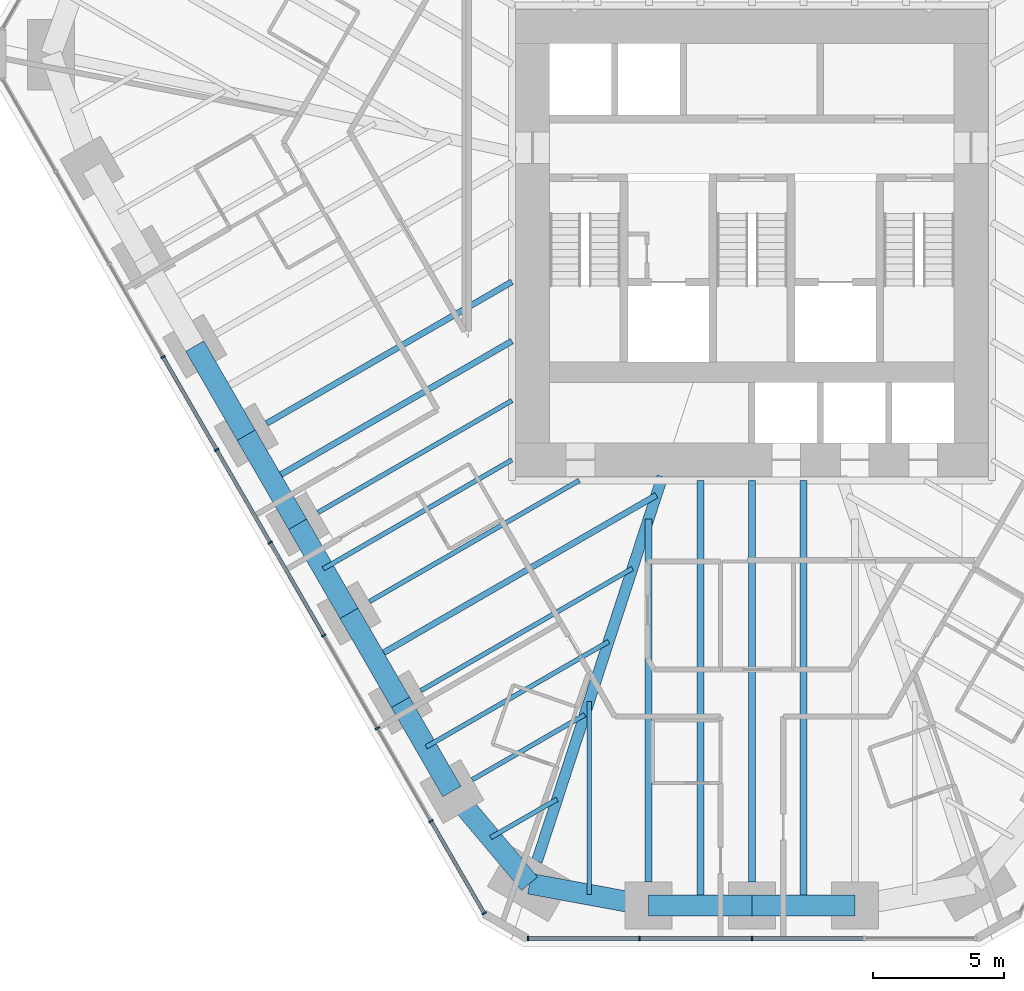
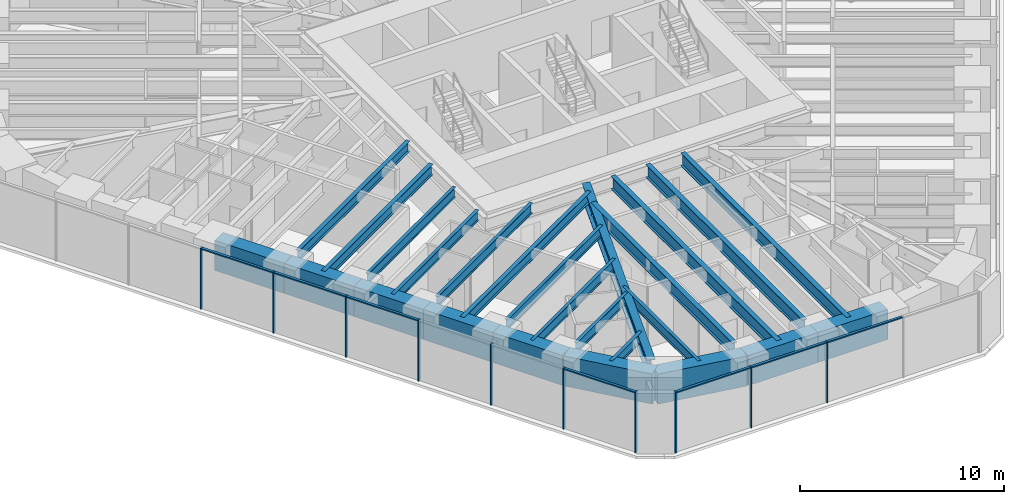
# One storey, part 2 of 17: 25 beams, 17 members, 2 elements without a shape of their own.
"""IFC4 building model written with IfcOpenShell, lengths in metres."""

from ifc_helpers import new_model, si_unit, direction, frame, origin, origin_2d, place, context, subcontext, project, spatial, rectangle, i_section, extrude, material, material_profile, profile_set, type_object, element, aggregate, save


model = new_model("IFC4")

# Units and contexts
model_context = context("Model", 3, precision=1e-05, world=origin(), true_north=direction((0.0, 1.0)))
body_context = subcontext(model_context, "Body", "Model", "MODEL_VIEW")
ifc_project = project(units=[si_unit("LENGTHUNIT", "METRE"), si_unit("AREAUNIT", "SQUARE_METRE"), si_unit("VOLUMEUNIT", "CUBIC_METRE"), si_unit("PLANEANGLEUNIT", "RADIAN"), si_unit("MASSUNIT", "GRAM", prefix="KILO")], contexts=[model_context])

# Site, building, storey
site_placement = place(None, origin())
site = spatial("IfcSite", under=ifc_project, at=site_placement, CompositionType="ELEMENT")
building_placement = place(site_placement, origin())
building = spatial("IfcBuilding", under=site, at=building_placement, Name="Sandreach Pilgrim Tower", CompositionType="ELEMENT")
storey_placement = place(building_placement, frame((0.0, 0.0, 108.199951171875)))
storey = spatial("IfcBuildingStorey", under=building, at=storey_placement, Name="L26", CompositionType="ELEMENT", Elevation=108.199951171875)

# Curtain wall, members
ifc_material_1 = material(Name="Aluminium framed curtain wall", Category="aluminium")
curtain_wall_type = type_object("IfcCurtainWallType", Name="Hotel tower curtain wall", PredefinedType="NOTDEFINED", material=ifc_material_1)
curtain_wall_1_placement = place(storey_placement, origin())
curtain_wall_1 = element("IfcCurtainWall", 1, at=curtain_wall_1_placement, inside=storey, type_object=curtain_wall_type, Name="CW-2 L26 S", PredefinedType="NOTDEFINED")
ifc_material_2 = material(Name="Aluminium extrusion", Category="aluminium")
ifc_material_profile_1 = material_profile(ifc_material_2, rectangle(XDim=0.06494140625, YDim=0.179931640625, at=origin_2d()), Name="CW-2M 65X180")
ifc_profile_set_1 = profile_set([ifc_material_profile_1], Name="Aluminium extrusion")
member_type_1 = type_object("IfcMemberType", Name="CW-2 mullion", PredefinedType="MULLION", material=ifc_profile_set_1)
member_1_placement = place(storey_placement, frame((0.0, -28.192138671875, 0.0), z_axis=(0.0, 0.0, 1.0), x_axis=(-1.0, 0.0, 0.0)))
member_1 = element("IfcMember", 2, at=member_1_placement, type_object=member_type_1, Name="CW-2 mullion 3", PredefinedType="MULLION", context=body_context, shape_type="SweptSolid", body=[
    extrude(rectangle(XDim=0.06494140625, YDim=0.179931640625, at=origin_2d()), origin(), (0.0, 0.0, 1.0), 3.64013671875),
])
member_2_placement = place(storey_placement, frame((-4.3056640625, -28.192138671875, 0.0), z_axis=(0.0, 0.0, 1.0), x_axis=(-1.0, 0.0, 0.0)))
member_2 = element("IfcMember", 3, at=member_2_placement, type_object=member_type_1, Name="CW-2 mullion 4", PredefinedType="MULLION", context=body_context, shape_type="SweptSolid", body=[
    extrude(rectangle(XDim=0.06494140625, YDim=0.179931640625, at=origin_2d()), origin(), (0.0, 0.0, 1.0), 3.64013671875),
])
member_3_placement = place(storey_placement, frame((-8.578857421875, -28.192138671875, 0.0), z_axis=(0.0, 0.0, 1.0), x_axis=(-1.0, 0.0, 0.0)))
member_3 = element("IfcMember", 4, at=member_3_placement, type_object=member_type_1, Name="CW-2 mullion 5", PredefinedType="MULLION", context=body_context, shape_type="SweptSolid", body=[
    extrude(rectangle(XDim=0.06494140625, YDim=0.179931640625, at=origin_2d()), origin(), (0.0, 0.0, 1.0), 3.64013671875),
])

curtain_wall_2_placement = place(storey_placement, origin())
curtain_wall_2 = element("IfcCurtainWall", 5, at=curtain_wall_2_placement, inside=storey, type_object=curtain_wall_type, Name="CW-2 L26 SW", PredefinedType="NOTDEFINED")
member_4_placement = place(storey_placement, frame((-10.255859375, -27.22412109375, 0.0), z_axis=(0.0, 0.0, 1.0), x_axis=(-0.5, 0.866025403784, 0.0)))
member_4 = element("IfcMember", 6, at=member_4_placement, type_object=member_type_1, Name="CW-2 mullion 1", PredefinedType="MULLION", context=body_context, shape_type="SweptSolid", body=[
    extrude(rectangle(XDim=0.06494140625, YDim=0.179931640625, at=origin_2d()), origin(), (0.0, 0.0, 1.0), 3.64013671875),
])
member_5_placement = place(storey_placement, frame((-12.29296875, -23.695556640625, 0.0), z_axis=(0.0, 0.0, 1.0), x_axis=(-0.5, 0.866025403784, 0.0)))
member_5 = element("IfcMember", 7, at=member_5_placement, type_object=member_type_1, Name="CW-2 mullion 2", PredefinedType="MULLION", context=body_context, shape_type="SweptSolid", body=[
    extrude(rectangle(XDim=0.06494140625, YDim=0.179931640625, at=origin_2d()), origin(), (0.0, 0.0, 1.0), 3.64013671875),
])
member_6_placement = place(storey_placement, frame((-14.346435546875, -20.138671875, 0.0), z_axis=(0.0, 0.0, 1.0), x_axis=(-0.5, 0.866025403784, 0.0)))
member_6 = element("IfcMember", 8, at=member_6_placement, type_object=member_type_1, Name="CW-2 mullion 3", PredefinedType="MULLION", context=body_context, shape_type="SweptSolid", body=[
    extrude(rectangle(XDim=0.06494140625, YDim=0.179931640625, at=origin_2d()), origin(), (0.0, 0.0, 1.0), 3.64013671875),
])
member_7_placement = place(storey_placement, frame((-16.39990234375, -16.58203125, 0.0), z_axis=(0.0, 0.0, 1.0), x_axis=(-0.5, 0.866025403784, 0.0)))
member_7 = element("IfcMember", 9, at=member_7_placement, type_object=member_type_1, Name="CW-2 mullion 4", PredefinedType="MULLION", context=body_context, shape_type="SweptSolid", body=[
    extrude(rectangle(XDim=0.06494140625, YDim=0.179931640625, at=origin_2d()), origin(), (0.0, 0.0, 1.0), 3.64013671875),
])
member_8_placement = place(storey_placement, frame((-18.453369140625, -13.025146484375, 0.0), z_axis=(0.0, 0.0, 1.0), x_axis=(-0.5, 0.866025403784, 0.0)))
member_8 = element("IfcMember", 10, at=member_8_placement, type_object=member_type_1, Name="CW-2 mullion 5", PredefinedType="MULLION", context=body_context, shape_type="SweptSolid", body=[
    extrude(rectangle(XDim=0.06494140625, YDim=0.179931640625, at=origin_2d()), origin(), (0.0, 0.0, 1.0), 3.64013671875),
])
member_9_placement = place(storey_placement, frame((-20.5068359375, -9.468505859375, 0.0), z_axis=(0.0, 0.0, 1.0), x_axis=(-0.5, 0.866025403784, 0.0)))
member_9 = element("IfcMember", 11, at=member_9_placement, type_object=member_type_1, Name="CW-2 mullion 6", PredefinedType="MULLION", context=body_context, shape_type="SweptSolid", body=[
    extrude(rectangle(XDim=0.06494140625, YDim=0.179931640625, at=origin_2d()), origin(), (0.0, 0.0, 1.0), 3.64013671875),
])
member_10_placement = place(storey_placement, frame((-22.560302734375, -5.911865234375, 0.0), z_axis=(0.0, 0.0, 1.0), x_axis=(-0.5, 0.866025403784, 0.0)))
member_10 = element("IfcMember", 12, at=member_10_placement, type_object=member_type_1, Name="CW-2 mullion 7", PredefinedType="MULLION", context=body_context, shape_type="SweptSolid", body=[
    extrude(rectangle(XDim=0.06494140625, YDim=0.179931640625, at=origin_2d()), origin(), (0.0, 0.0, 1.0), 3.64013671875),
])

# Member
ifc_material_3 = material(Name="Aluminium extrusion", Category="aluminium")
ifc_material_profile_2 = material_profile(ifc_material_3, rectangle(XDim=0.139892578125, YDim=0.070068359375, at=origin_2d()), Name="CW-2T 140X70")
ifc_profile_set_2 = profile_set([ifc_material_profile_2], Name="Aluminium extrusion")
member_type_2 = type_object("IfcMemberType", Name="CW-2 transom", PredefinedType="USERDEFINED", material=ifc_profile_set_2)
member_11_placement = place(storey_placement, frame((4.273193359375, -28.192138671875, 3.60498046875), z_axis=(-1.0, 0.0, 0.0), x_axis=(0.0, -1.0, 0.0)))
member_11 = element("IfcMember", 13, at=member_11_placement, type_object=member_type_2, Name="CW-2 head transom 2", ObjectType="TRANSOM", PredefinedType="USERDEFINED", context=body_context, shape_type="SweptSolid", body=[
    extrude(rectangle(XDim=0.139892578125, YDim=0.070068359375, at=origin_2d()), origin(), (0.0, 0.0, 1.0), 4.24072265625),
])

member_12_placement = place(storey_placement, frame((-0.032470703125, -28.192138671875, 3.60498046875), z_axis=(-1.0, 0.0, 0.0), x_axis=(0.0, -1.0, 0.0)))
member_12 = element("IfcMember", 14, at=member_12_placement, type_object=member_type_2, Name="CW-2 head transom 3", ObjectType="TRANSOM", PredefinedType="USERDEFINED", context=body_context, shape_type="SweptSolid", body=[
    extrude(rectangle(XDim=0.139892578125, YDim=0.070068359375, at=origin_2d()), origin(), (0.0, 0.0, 1.0), 4.24072265625),
])

member_13_placement = place(storey_placement, frame((-4.338134765625, -28.192138671875, 3.60498046875), z_axis=(-1.0, 0.0, 0.0), x_axis=(0.0, -1.0, 0.0)))
member_13 = element("IfcMember", 15, at=member_13_placement, type_object=member_type_2, Name="CW-2 head transom 4", ObjectType="TRANSOM", PredefinedType="USERDEFINED", context=body_context, shape_type="SweptSolid", body=[
    extrude(rectangle(XDim=0.139892578125, YDim=0.070068359375, at=origin_2d()), origin(), (0.0, 0.0, 1.0), 4.208251953125),
])

aggregate(curtain_wall_1, [member_1, member_2, member_3, member_11, member_12, member_13])

member_14_placement = place(storey_placement, frame((-10.27197265625, -27.196044921875, 3.60498046875), z_axis=(-0.500015851672, 0.866016251624, 0.0), x_axis=(-0.866016251624, -0.500015851672, 0.0)))
member_14 = element("IfcMember", 16, at=member_14_placement, type_object=member_type_2, Name="CW-2 head transom 1", ObjectType="TRANSOM", PredefinedType="USERDEFINED", context=body_context, shape_type="SweptSolid", body=[
    extrude(rectangle(XDim=0.139892578125, YDim=0.070068359375, at=origin_2d()), origin(), (0.0, 0.0, 1.0), 4.009521484375),
])

member_15_placement = place(storey_placement, frame((-16.416259765625, -16.553955078125, 3.60498046875), z_axis=(-0.499997818338, 0.866026663364, 0.0), x_axis=(-0.866026663364, -0.499997818338, 0.0)))
member_15 = element("IfcMember", 17, at=member_15_placement, type_object=member_type_2, Name="CW-2 head transom 4", ObjectType="TRANSOM", PredefinedType="USERDEFINED", context=body_context, shape_type="SweptSolid", body=[
    extrude(rectangle(XDim=0.139892578125, YDim=0.070068359375, at=origin_2d()), origin(), (0.0, 0.0, 1.0), 4.0419921875),
])

member_16_placement = place(storey_placement, frame((-18.4697265625, -12.9970703125, 3.60498046875), z_axis=(-0.499997818338, 0.866026663364, 0.0), x_axis=(-0.866026663364, -0.499997818338, 0.0)))
member_16 = element("IfcMember", 18, at=member_16_placement, type_object=member_type_2, Name="CW-2 head transom 5", ObjectType="TRANSOM", PredefinedType="USERDEFINED", context=body_context, shape_type="SweptSolid", body=[
    extrude(rectangle(XDim=0.139892578125, YDim=0.070068359375, at=origin_2d()), origin(), (0.0, 0.0, 1.0), 4.0419921875),
])

member_17_placement = place(storey_placement, frame((-20.523193359375, -9.4404296875, 3.60498046875), z_axis=(-0.499997818338, 0.866026663364, 0.0), x_axis=(-0.866026663364, -0.499997818338, 0.0)))
member_17 = element("IfcMember", 19, at=member_17_placement, type_object=member_type_2, Name="CW-2 head transom 6", ObjectType="TRANSOM", PredefinedType="USERDEFINED", context=body_context, shape_type="SweptSolid", body=[
    extrude(rectangle(XDim=0.139892578125, YDim=0.070068359375, at=origin_2d()), origin(), (0.0, 0.0, 1.0), 4.0419921875),
])

aggregate(curtain_wall_2, [member_4, member_5, member_6, member_7, member_8, member_9, member_10, member_14, member_15, member_16, member_17])

# Beams
ifc_material_4 = material(Name="Steel ASTM A992 Grade 50", Category="steel")
ifc_material_profile_3 = material_profile(ifc_material_4, i_section(OverallWidth=0.421630859375, OverallDepth=0.937255859375, WebThickness=0.0224609375, FlangeThickness=0.039794921875, at=origin_2d()), Name="W36X282")
ifc_profile_set_3 = profile_set([ifc_material_profile_3], Name="Steel ASTM A992 Grade 50")
beam_type_1 = type_object("IfcBeamType", Name="Corner girder W36X282", PredefinedType="BEAM", material=ifc_profile_set_3)
beam_1_placement = place(storey_placement, frame((-8.238525390625, -25.23876953125, 3.17138671875), z_axis=(0.310307109519, 0.950636364643, 0.0), x_axis=(-0.950636364643, 0.310307109519, 0.0)))
element("IfcBeam", 20, at=beam_1_placement, inside=storey, type_object=beam_type_1, Name="BM L26 CG26", PredefinedType="BEAM", context=body_context, shape_type="SweptSolid", body=[
    extrude(i_section(OverallWidth=0.421630859375, OverallDepth=0.937255859375, WebThickness=0.0224609375, FlangeThickness=0.039794921875, at=origin_2d()), origin(), (0.0, 0.0, 1.0), 15.504150390625),
])
ifc_material_5 = material(Name="Steel ASTM A992 Grade 50", Category="steel")
ifc_material_profile_4 = material_profile(ifc_material_5, i_section(OverallWidth=0.1787109375, OverallDepth=0.60205078125, WebThickness=0.010986328125, FlangeThickness=0.014892578125, at=origin_2d()), Name="W24X62")
ifc_profile_set_4 = profile_set([ifc_material_profile_4], Name="Steel ASTM A992 Grade 50")
beam_type_2 = type_object("IfcBeamType", Name="Floor beam W24X62", PredefinedType="BEAM", material=ifc_profile_set_4)
beam_2_placement = place(storey_placement, frame((-10.714599609375, -22.109130859375, 3.339111328125), z_axis=(0.866024645457, 0.500001313459, 0.0), x_axis=(-0.500001313459, 0.866024645457, 0.0)))
element("IfcBeam", 21, at=beam_2_placement, inside=storey, type_object=beam_type_2, Name="BM L26 F27", PredefinedType="BEAM", context=body_context, shape_type="SweptSolid", body=[
    extrude(i_section(OverallWidth=0.1787109375, OverallDepth=0.60205078125, WebThickness=0.010986328125, FlangeThickness=0.014892578125, at=origin_2d()), origin(), (0.0, 0.0, 1.0), 4.9765625),
])
beam_3_placement = place(storey_placement, frame((-12.6845703125, -18.697265625, 3.339111328125), z_axis=(0.866012351917, 0.500022605817, 0.0), x_axis=(-0.500022605817, 0.866012351917, 0.0)))
element("IfcBeam", 22, at=beam_3_placement, inside=storey, type_object=beam_type_2, Name="BM L26 F28", PredefinedType="BEAM", context=body_context, shape_type="SweptSolid", body=[
    extrude(i_section(OverallWidth=0.1787109375, OverallDepth=0.60205078125, WebThickness=0.010986328125, FlangeThickness=0.014892578125, at=origin_2d()), origin(), (0.0, 0.0, 1.0), 9.3642578125),
])
beam_4_placement = place(storey_placement, frame((-14.654541015625, -15.28515625, 3.339111328125), z_axis=(0.866015659929, 0.500016876472, 0.0), x_axis=(-0.500016876472, 0.866015659929, 0.0)))
element("IfcBeam", 23, at=beam_4_placement, inside=storey, type_object=beam_type_2, Name="BM L26 F29", PredefinedType="BEAM", context=body_context, shape_type="SweptSolid", body=[
    extrude(i_section(OverallWidth=0.1787109375, OverallDepth=0.60205078125, WebThickness=0.010986328125, FlangeThickness=0.014892578125, at=origin_2d()), origin(), (0.0, 0.0, 1.0), 9.283447265625),
])
beam_5_placement = place(storey_placement, frame((-16.62451171875, -11.873046875, 3.339111328125), z_axis=(0.866017857595, 0.500013070155, 0.0), x_axis=(-0.500013070155, 0.866017857595, 0.0)))
element("IfcBeam", 24, at=beam_5_placement, inside=storey, type_object=beam_type_2, Name="BM L26 F30", PredefinedType="BEAM", context=body_context, shape_type="SweptSolid", body=[
    extrude(i_section(OverallWidth=0.1787109375, OverallDepth=0.60205078125, WebThickness=0.010986328125, FlangeThickness=0.014892578125, at=origin_2d()), origin(), (0.0, 0.0, 1.0), 8.580810546875),
])
beam_6_placement = place(storey_placement, frame((-6.236572265625, -26.51318359375, 3.339111328125), z_axis=(0.0, 1.0, 0.0), x_axis=(-1.0, 0.0, 0.0)))
element("IfcBeam", 25, at=beam_6_placement, inside=storey, type_object=beam_type_2, Name="BM L26 FM25", PredefinedType="BEAM", context=body_context, shape_type="SweptSolid", body=[
    extrude(i_section(OverallWidth=0.1787109375, OverallDepth=0.60205078125, WebThickness=0.010986328125, FlangeThickness=0.014892578125, at=origin_2d()), origin(), (0.0, 0.0, 1.0), 7.40771484375),
])
beam_7_placement = place(storey_placement, frame((-10.006103515625, -24.326904296875, 3.339111328125), z_axis=(0.866015396618, 0.500017332519, 0.0), x_axis=(-0.500017332519, 0.866015396618, 0.0)))
element("IfcBeam", 26, at=beam_7_placement, inside=storey, type_object=beam_type_2, Name="BM L26 FM26", PredefinedType="BEAM", context=body_context, shape_type="SweptSolid", body=[
    extrude(i_section(OverallWidth=0.1787109375, OverallDepth=0.60205078125, WebThickness=0.010986328125, FlangeThickness=0.014892578125, at=origin_2d()), origin(), (0.0, 0.0, 1.0), 2.9384765625),
])
beam_8_placement = place(storey_placement, frame((-12.47900390625, -20.853271484375, 3.339111328125), z_axis=(0.866017328257, 0.500013986963, 0.0), x_axis=(-0.500013986963, 0.866017328257, 0.0)))
element("IfcBeam", 27, at=beam_8_placement, inside=storey, type_object=beam_type_2, Name="BM L26 FM27", PredefinedType="BEAM", context=body_context, shape_type="SweptSolid", body=[
    extrude(i_section(OverallWidth=0.1787109375, OverallDepth=0.60205078125, WebThickness=0.010986328125, FlangeThickness=0.014892578125, at=origin_2d()), origin(), (0.0, 0.0, 1.0), 8.070556640625),
])
beam_9_placement = place(storey_placement, frame((-16.4189453125, -14.029052734375, 3.339111328125), z_axis=(0.866016009309, 0.500016271356, 0.0), x_axis=(-0.500016271356, 0.866016009309, 0.0)))
element("IfcBeam", 28, at=beam_9_placement, inside=storey, type_object=beam_type_2, Name="BM L26 FM29", PredefinedType="BEAM", context=body_context, shape_type="SweptSolid", body=[
    extrude(i_section(OverallWidth=0.1787109375, OverallDepth=0.60205078125, WebThickness=0.010986328125, FlangeThickness=0.014892578125, at=origin_2d()), origin(), (0.0, 0.0, 1.0), 8.343505859375),
])
ifc_material_6 = material(Name="Steel ASTM A992 Grade 50", Category="steel")
ifc_material_profile_5 = material_profile(ifc_material_6, i_section(OverallWidth=0.23046875, OverallDepth=0.6171875, WebThickness=0.01318359375, FlangeThickness=0.022216796875, at=origin_2d()), Name="W24X94")
ifc_profile_set_5 = profile_set([ifc_material_profile_5], Name="Steel ASTM A992 Grade 50")
beam_type_3 = type_object("IfcBeamType", Name="Floor beam W24X94", PredefinedType="BEAM", material=ifc_profile_set_5)
beam_10_placement = place(storey_placement, frame((-18.594482421875, -8.4609375, 3.33154296875), z_axis=(0.866015926388, 0.500016414973, 0.0), x_axis=(-0.500016414973, 0.866015926388, 0.0)))
element("IfcBeam", 29, at=beam_10_placement, inside=storey, type_object=beam_type_3, Name="BM L26 F31", PredefinedType="BEAM", context=body_context, shape_type="SweptSolid", body=[
    extrude(i_section(OverallWidth=0.23046875, OverallDepth=0.6171875, WebThickness=0.01318359375, FlangeThickness=0.022216796875, at=origin_2d()), origin(), (0.0, 0.0, 1.0), 10.855712890625),
])
beam_11_placement = place(storey_placement, frame((-14.448974609375, -17.441162109375, 3.33154296875), z_axis=(0.866019150617, 0.500010830648, 0.0), x_axis=(-0.500010830648, 0.866019150617, 0.0)))
element("IfcBeam", 30, at=beam_11_placement, inside=storey, type_object=beam_type_3, Name="BM L26 FM28", PredefinedType="BEAM", context=body_context, shape_type="SweptSolid", body=[
    extrude(i_section(OverallWidth=0.23046875, OverallDepth=0.6171875, WebThickness=0.01318359375, FlangeThickness=0.022216796875, at=origin_2d()), origin(), (0.0, 0.0, 1.0), 12.458251953125),
])
beam_12_placement = place(storey_placement, frame((-18.388916015625, -10.616943359375, 3.33154296875), z_axis=(0.866024387147, 0.500001760863, 0.0), x_axis=(-0.500001760863, 0.866024387147, 0.0)))
element("IfcBeam", 31, at=beam_12_placement, inside=storey, type_object=beam_type_3, Name="BM L26 FM30", PredefinedType="BEAM", context=body_context, shape_type="SweptSolid", body=[
    extrude(i_section(OverallWidth=0.23046875, OverallDepth=0.6171875, WebThickness=0.01318359375, FlangeThickness=0.022216796875, at=origin_2d()), origin(), (0.0, 0.0, 1.0), 10.6181640625),
])
ifc_material_7 = material(Name="Steel ASTM A992 Grade 50", Category="steel")
ifc_material_profile_6 = material_profile(ifc_material_7, i_section(OverallWidth=0.2666015625, OverallDepth=0.761962890625, WebThickness=0.014404296875, FlangeThickness=0.021484375, at=origin_2d()), Name="W30X116")
ifc_profile_set_6 = profile_set([ifc_material_profile_6], Name="Steel ASTM A992 Grade 50")
beam_type_4 = type_object("IfcBeamType", Name="Floor beam W30X116", PredefinedType="BEAM", material=ifc_profile_set_6)
beam_13_placement = place(storey_placement, frame((-3.955322265625, -26.0322265625, 3.259033203125), z_axis=(0.0, 1.0, 0.0), x_axis=(-1.0, 0.0, 0.0)))
element("IfcBeam", 32, at=beam_13_placement, inside=storey, type_object=beam_type_4, Name="BM L26 F25", PredefinedType="BEAM", context=body_context, shape_type="SweptSolid", body=[
    extrude(i_section(OverallWidth=0.2666015625, OverallDepth=0.761962890625, WebThickness=0.014404296875, FlangeThickness=0.021484375, at=origin_2d()), origin(), (0.0, 0.0, 1.0), 13.91552734375),
])
ifc_material_8 = material(Name="Steel ASTM A992 Grade 50", Category="steel")
ifc_material_profile_7 = material_profile(ifc_material_8, i_section(OverallWidth=0.2666015625, OverallDepth=0.77978515625, WebThickness=0.0166015625, FlangeThickness=0.030029296875, at=origin_2d()), Name="W30X148")
ifc_profile_set_7 = profile_set([ifc_material_profile_7], Name="Steel ASTM A992 Grade 50")
beam_type_5 = type_object("IfcBeamType", Name="Floor beam W30X148", PredefinedType="BEAM", material=ifc_profile_set_7)
beam_14_placement = place(storey_placement, frame((0.0, -26.0322265625, 3.250244140625), z_axis=(0.0, 1.0, 0.0), x_axis=(-1.0, 0.0, 0.0)))
element("IfcBeam", 33, at=beam_14_placement, inside=storey, type_object=beam_type_5, Name="BM L26 F24", PredefinedType="BEAM", context=body_context, shape_type="SweptSolid", body=[
    extrude(i_section(OverallWidth=0.2666015625, OverallDepth=0.77978515625, WebThickness=0.0166015625, FlangeThickness=0.030029296875, at=origin_2d()), origin(), (0.0, 0.0, 1.0), 15.388916015625),
])
for number, where, z_axis, x_axis, name in (
    (34, (1.9775390625, -26.93212890625, 3.250244140625), (0.0, 1.0, 0.0), (-1.0, 0.0, 0.0), "BM L26 FM23"),
    (35, (-1.9775390625, -26.93212890625, 3.250244140625), (0.0, 1.0, 0.0), (-1.0, 0.0, 0.0), "BM L26 FM24"),
):
    element("IfcBeam", number, at=place(storey_placement, frame(where, z_axis=z_axis, x_axis=x_axis)), inside=storey, type_object=beam_type_5, Name=name, PredefinedType="BEAM", context=body_context, shape_type="SweptSolid", body=[
        extrude(i_section(OverallWidth=0.2666015625, OverallDepth=0.77978515625, WebThickness=0.0166015625, FlangeThickness=0.030029296875, at=origin_2d()), origin(), (0.0, 0.0, 1.0), 16.288818359375),
    ])
ifc_material_9 = material(Name="Concrete 10000 psi", Category="concrete")
ifc_material_profile_8 = material_profile(ifc_material_9, rectangle(XDim=0.800048828125, YDim=1.800048828125, at=origin_2d()), Name="RC800X1800")
ifc_profile_set_8 = profile_set([ifc_material_profile_8], Name="Concrete 10000 psi")
beam_type_6 = type_object("IfcBeamType", Name="Spandrel beam RC800X1800", PredefinedType="SPANDREL", material=ifc_profile_set_8)
for number, where, z_axis, x_axis, name in (
    (36, (3.955322265625, -26.93212890625, 2.739990234375), (-1.0, 0.0, 0.0), (0.0, -1.0, 0.0), "BM L26 SP23"),
    (37, (0.0, -26.93212890625, 2.739990234375), (-1.0, 0.0, 0.0), (0.0, -1.0, 0.0), "BM L26 SP24"),
):
    element("IfcBeam", number, at=place(storey_placement, frame(where, z_axis=z_axis, x_axis=x_axis)), inside=storey, type_object=beam_type_6, Name=name, PredefinedType="SPANDREL", context=body_context, shape_type="SweptSolid", body=[
        extrude(rectangle(XDim=0.800048828125, YDim=1.800048828125, at=origin_2d()), origin(), (0.0, 0.0, 1.0), 3.955322265625),
    ])
beam_15_placement = place(storey_placement, frame((-3.955322265625, -26.93212890625, 2.739990234375), z_axis=(-0.983551746136, 0.180626583516, 0.0), x_axis=(-0.180626583516, -0.983551746136, 0.0)))
element("IfcBeam", 38, at=beam_15_placement, inside=storey, type_object=beam_type_6, Name="BM L26 SP25", PredefinedType="SPANDREL", context=body_context, shape_type="SweptSolid", body=[
    extrude(rectangle(XDim=0.800048828125, YDim=1.800048828125, at=origin_2d()), origin(), (0.0, 0.0, 1.0), 4.638916015625),
])
beam_16_placement = place(storey_placement, frame((-8.517822265625, -26.09423828125, 2.739990234375), z_axis=(-0.644078801547, 0.764959147535, 0.0), x_axis=(-0.764959147535, -0.644078801547, 0.0)))
element("IfcBeam", 39, at=beam_16_placement, inside=storey, type_object=beam_type_6, Name="BM L26 SP26", PredefinedType="SPANDREL", context=body_context, shape_type="SweptSolid", body=[
    extrude(rectangle(XDim=0.800048828125, YDim=1.800048828125, at=origin_2d()), origin(), (0.0, 0.0, 1.0), 4.62109375),
])
for number, where, z_axis, x_axis, name in (
    (40, (-11.494140625, -22.559326171875, 2.739990234375), (-0.49999779889, 0.866026674592, 0.0), (-0.866026674592, -0.49999779889, 0.0), "BM L26 SP27"),
    (41, (-13.464111328125, -19.147216796875, 2.739990234375), (-0.49999779889, 0.866026674592, 0.0), (-0.866026674592, -0.49999779889, 0.0), "BM L26 SP28"),
    (42, (-15.43408203125, -15.735107421875, 2.739990234375), (-0.49999779889, 0.866026674592, 0.0), (-0.866026674592, -0.49999779889, 0.0), "BM L26 SP29"),
    (43, (-17.404052734375, -12.322998046875, 2.739990234375), (-0.49999779889, 0.866026674592, 0.0), (-0.866026674592, -0.49999779889, 0.0), "BM L26 SP30"),
    (44, (-19.3740234375, -8.910888671875, 2.739990234375), (-0.49999779889, 0.866026674592, 0.0), (-0.866026674592, -0.49999779889, 0.0), "BM L26 SP31"),
):
    element("IfcBeam", number, at=place(storey_placement, frame(where, z_axis=z_axis, x_axis=x_axis)), inside=storey, type_object=beam_type_6, Name=name, PredefinedType="SPANDREL", context=body_context, shape_type="SweptSolid", body=[
        extrude(rectangle(XDim=0.800048828125, YDim=1.800048828125, at=origin_2d()), origin(), (0.0, 0.0, 1.0), 3.93994140625),
    ])

save(model, "model.ifc")
